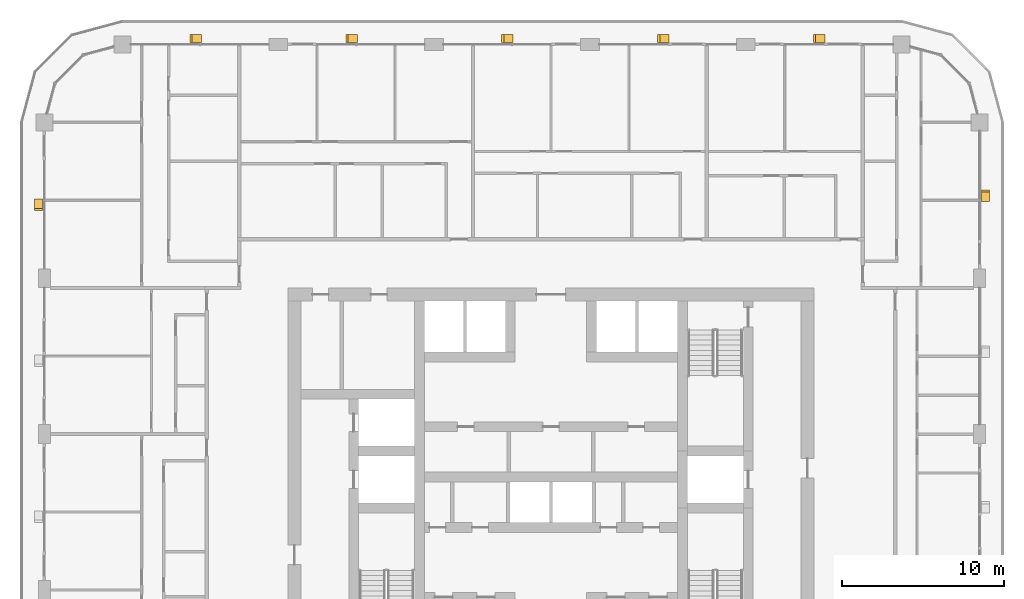
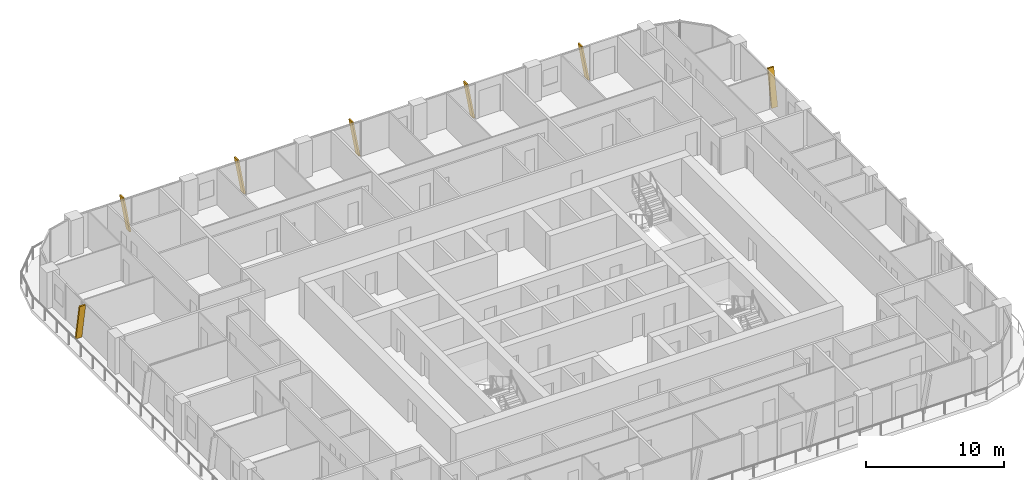
# One storey, part 22 of 22: 7 shading devices.
"""IFC4 building model written with IfcOpenShell, lengths in metres."""

import ifcopenshell
import ifcopenshell.guid

model = None  # the IFC model being written
_history = None  # IfcOwnerHistory: only IFC2X3 demands one
_inside = {}  # id of a spatial element -> (the spatial element, [elements in it])
_under = {}  # id of a project, library or spatial element -> (it, [spatial elements below it])
_declared = {}  # id of a project -> (the project, [libraries it declares])
_typed = {}  # id of a type object -> (the type object, [elements of that type])
_made_of = {}  # id of a material, layer set ... -> (it, [elements and type objects made of it])


def new_model(schema):
    """Start an empty IFC model of exactly this schema.

    Asked for "IFC4X3", IfcOpenShell would pick the latest addendum, in which some entities
    have other attributes; the version numbers below select the first issue.
    IFC2X3 requires an IfcOwnerHistory on every rooted entity: one is made here for all.
    """
    global model, _history
    if schema == "IFC4X3":
        model = ifcopenshell.file(schema_version=(4, 3, 0, 0))
    else:
        model = ifcopenshell.file(schema=schema)
    _inside.clear()
    _under.clear()
    _declared.clear()
    _typed.clear()
    _made_of.clear()
    _history = None
    if model.schema == "IFC2X3":
        org = make("IfcOrganization", Name="unknown")
        user = make(
            "IfcPersonAndOrganization",
            ThePerson=make("IfcPerson", FamilyName="unknown"),
            TheOrganization=org,
        )
        app = make(
            "IfcApplication",
            ApplicationDeveloper=org,
            Version="unknown",
            ApplicationFullName="unknown",
            ApplicationIdentifier="unknown",
        )
        _history = make(
            "IfcOwnerHistory",
            OwningUser=user,
            OwningApplication=app,
            ChangeAction="ADDED",
            CreationDate=0,
        )
    return model


def make(cls, **values):
    """One entity of the class cls with the attributes given. An attribute that is None is left unset."""
    return model.create_entity(
        cls, **{name: value for name, value in values.items() if value is not None}
    )


def rooted(cls, **values):
    """An entity with a GlobalId (a new one), such as an element, a storey or a relation."""
    return make(cls, GlobalId=ifcopenshell.guid.new(), OwnerHistory=_history, **values)


def si_unit(unit_type, name, prefix=None):
    """IfcSIUnit, for example si_unit("LENGTHUNIT", "METRE", prefix="MILLI")."""
    return make("IfcSIUnit", UnitType=unit_type, Prefix=prefix, Name=name)


def assignment(units):
    """IfcUnitAssignment: the units of a project."""
    return None if units is None else make("IfcUnitAssignment", Units=units)


def point(xyz):
    """IfcCartesianPoint."""
    return None if xyz is None else make("IfcCartesianPoint", Coordinates=xyz)


def direction(xyz):
    """IfcDirection."""
    return None if xyz is None else make("IfcDirection", DirectionRatios=xyz)


def frame(location, z_axis=None, x_axis=None):
    """IfcAxis2Placement3D, a coordinate frame: its origin and axes. An axis left out is left unset."""
    return make(
        "IfcAxis2Placement3D",
        Location=point(location),
        Axis=direction(z_axis),
        RefDirection=direction(x_axis),
    )


def origin():
    """The frame at (0, 0, 0) with its axes left unset."""
    return frame((0.0, 0.0, 0.0))


def place(relative_to, where):
    """IfcLocalPlacement: puts the frame where relative to a parent placement (None: the world)."""
    return make(
        "IfcLocalPlacement", PlacementRelTo=relative_to, RelativePlacement=where
    )


def context(
    kind, dimensions, precision=None, world=None, true_north=None, identifier=None
):
    """IfcGeometricRepresentationContext, for example the 3D "Model" context."""
    return make(
        "IfcGeometricRepresentationContext",
        ContextIdentifier=identifier,
        ContextType=kind,
        CoordinateSpaceDimension=dimensions,
        Precision=precision,
        WorldCoordinateSystem=world,
        TrueNorth=true_north,
    )


def subcontext(parent, identifier, kind, view, scale=None):
    """IfcGeometricRepresentationSubContext, for example "Body" below "Model"."""
    return make(
        "IfcGeometricRepresentationSubContext",
        ContextIdentifier=identifier,
        ContextType=kind,
        ParentContext=parent,
        TargetScale=scale,
        TargetView=view,
    )


def project(units=None, contexts=None):
    """IfcProject with its units and contexts."""
    return rooted(
        "IfcProject",
        Name="project",
        RepresentationContexts=contexts,
        UnitsInContext=assignment(units),
    )


def spatial(cls, under=None, at=None, **own):
    """A site, building, storey or space (cls), placed at a placement, below another one or the project."""
    s = rooted(cls, ObjectPlacement=at, **own)
    if under is not None:
        _under.setdefault(under.id(), (under, []))[1].append(s)
    return s


def polyline(points):
    """IfcPolyline through the points."""
    return make("IfcPolyline", Points=[point(p) for p in points])


def outline(outer, holes=None, kind="AREA"):
    """IfcArbitraryClosedProfileDef: a profile drawn as a closed curve; with holes, ...WithVoids."""
    if holes is None:
        return make("IfcArbitraryClosedProfileDef", ProfileType=kind, OuterCurve=outer)
    return make(
        "IfcArbitraryProfileDefWithVoids",
        ProfileType=kind,
        OuterCurve=outer,
        InnerCurves=holes,
    )


def extrude(swept, where, along, depth):
    """IfcExtrudedAreaSolid: the profile swept, set in the frame where, extruded along a direction by depth."""
    return make(
        "IfcExtrudedAreaSolid",
        SweptArea=swept,
        Position=where,
        ExtrudedDirection=direction(along),
        Depth=depth,
    )


def shape(context_of_items, identifier, shape_type, items):
    """IfcShapeRepresentation: the items that make up one representation, for example the "Body"."""
    return make(
        "IfcShapeRepresentation",
        ContextOfItems=context_of_items,
        RepresentationIdentifier=identifier,
        RepresentationType=shape_type,
        Items=items,
    )


def material(Name=None, Category=None):
    """IfcMaterial."""
    return make("IfcMaterial", Name=Name, Category=Category)


def made_of(thing, what):
    """Note that an element or type object is made of a material, layer set ...; save() writes the relation."""
    if what is not None:
        _made_of.setdefault(what.id(), (what, []))[1].append(thing)
    return thing


def type_object(cls, material=None, **own):
    """A type object (cls), such as IfcWallType, which elements share."""
    return made_of(rooted(cls, **own), material)


def element(
    cls,
    number,
    at=None,
    inside=None,
    cuts=None,
    type_object=None,
    material=None,
    context=None,
    identifier="Body",
    shape_type=None,
    held_by="IfcProductDefinitionShape",
    body=None,
    shapes=None,
    **own,
):
    """One element of the class cls, such as IfcWall. Its Tag is "e" and its number.

    at: its placement. inside: the storey or other place that contains it. cuts: it is an
    opening in that element (IfcRelVoidsElement). A single representation is given by context,
    identifier, shape_type and body (its items); several are given by shapes. held_by: the class
    of the entity that holds the representations. save() writes the other relations.
    """
    e = rooted(cls, Tag="e%d" % number, ObjectPlacement=at, **own)
    if body is not None:
        shapes = [shape(context, identifier, shape_type, body)]
    if shapes is not None:
        e.Representation = make(held_by, Representations=shapes)
    if inside is not None:
        _inside.setdefault(inside.id(), (inside, []))[1].append(e)
    if cuts is not None:
        rooted(
            "IfcRelVoidsElement", RelatingBuildingElement=cuts, RelatedOpeningElement=e
        )
    if type_object is not None:
        _typed.setdefault(type_object.id(), (type_object, []))[1].append(e)
    return made_of(e, material)


def aggregate(whole, parts):
    """IfcRelAggregates: a whole, such as a stair, and the parts it consists of."""
    return rooted("IfcRelAggregates", RelatingObject=whole, RelatedObjects=parts)


def save(model, path):
    """Write the relations noted so far, then the file.

    IfcRelAggregates (storeys below a building ...), IfcRelContainedInSpatialStructure (elements
    in a storey), IfcRelDefinesByType, IfcRelAssociatesMaterial and IfcRelDeclares: one each for
    every whole, place, type object, material and project.
    """
    for whole, parts in _under.values():
        aggregate(whole, parts)
    for where, things in _inside.values():
        rooted(
            "IfcRelContainedInSpatialStructure",
            RelatedElements=things,
            RelatingStructure=where,
        )
    for kind, things in _typed.values():
        rooted("IfcRelDefinesByType", RelatedObjects=things, RelatingType=kind)
    for what, things in _made_of.values():
        rooted("IfcRelAssociatesMaterial", RelatedObjects=things, RelatingMaterial=what)
    for by, libraries in _declared.values():
        rooted("IfcRelDeclares", RelatingContext=by, RelatedDefinitions=libraries)
    model.write(path)


model = new_model("IFC4")

# Units and contexts
model_context = context("Model", 3, precision=1e-05, world=origin(), true_north=direction((0.0, 1.0)))
body_context = subcontext(model_context, "Body", "Model", "MODEL_VIEW")
ifc_project = project(units=[si_unit("LENGTHUNIT", "METRE"), si_unit("AREAUNIT", "SQUARE_METRE"), si_unit("VOLUMEUNIT", "CUBIC_METRE"), si_unit("PLANEANGLEUNIT", "RADIAN"), si_unit("MASSUNIT", "GRAM", prefix="KILO")], contexts=[model_context])

# Site, building, storey
site_placement = place(None, origin())
site = spatial("IfcSite", under=ifc_project, at=site_placement, CompositionType="ELEMENT")
building_placement = place(site_placement, origin())
building = spatial("IfcBuilding", under=site, at=building_placement, Name="Madar Terraces", CompositionType="ELEMENT")
storey_placement = place(building_placement, frame((0.0, 0.0, 122.60009765625)))
storey = spatial("IfcBuildingStorey", under=building, at=storey_placement, Name="L31", CompositionType="ELEMENT", Elevation=122.60009765625)

# Shading devices
ifc_material = material(Name="Aluminium, black anodised", Category="aluminium")
shading_device_type = type_object("IfcShadingDeviceType", Name="Facade fin blade 140 x 500", PredefinedType="USERDEFINED", material=ifc_material)
for number, where, z_axis, x_axis, name in (
    (1, (57.949951171875, 43.1298828125, 0.0), (0.0, 0.0, 1.0), (0.0, 1.0, 0.0), "FIN L31 E4"),
    (2, (48.070068359375, 53.14990234375, 0.0), (0.0, 0.0, 1.0), (-1.0, 0.0, 0.0), "FIN L31 N1"),
):
    element("IfcShadingDevice", number, at=place(storey_placement, frame(where, z_axis=z_axis, x_axis=x_axis)), inside=storey, type_object=shading_device_type, Name=name, ObjectType="FIN", PredefinedType="USERDEFINED", context=body_context, shape_type="SweptSolid", body=[
        extrude(outline(polyline([(0.0, 0.0), (0.14013671875, 0.0), (0.704345703125, 3.199951171875), (0.564208984375, 3.199951171875), (0.0, 0.0)])), frame((0.0, 0.25, 0.0), z_axis=(0.0, -1.0, 0.0), x_axis=(1.0, 0.0, 0.0)), (0.0, 0.0, 1.0), 0.5),
    ])
shading_device_1_placement = place(storey_placement, frame((38.469970703125, 53.14990234375, 0.0), z_axis=(0.0, 0.0, 1.0), x_axis=(-1.0, 0.0, 0.0)))
element("IfcShadingDevice", 3, at=shading_device_1_placement, inside=storey, type_object=shading_device_type, Name="FIN L31 N2", ObjectType="FIN", PredefinedType="USERDEFINED", context=body_context, shape_type="SweptSolid", body=[
    extrude(outline(polyline([(0.0, 0.0), (0.139892578125, 0.0), (0.704345703125, 3.199951171875), (0.564208984375, 3.199951171875), (0.0, 0.0)])), frame((0.0, 0.25, 0.0), z_axis=(0.0, -1.0, 0.0), x_axis=(1.0, 0.0, 0.0)), (0.0, 0.0, 1.0), 0.5),
])
for number, where, z_axis, x_axis, name in (
    (4, (28.8701171875, 53.14990234375, 0.0), (0.0, 0.0, 1.0), (-1.0, 0.0, 0.0), "FIN L31 N3"),
    (5, (19.27001953125, 53.14990234375, 0.0), (0.0, 0.0, 1.0), (-1.0, 0.0, 0.0), "FIN L31 N4"),
):
    element("IfcShadingDevice", number, at=place(storey_placement, frame(where, z_axis=z_axis, x_axis=x_axis)), inside=storey, type_object=shading_device_type, Name=name, ObjectType="FIN", PredefinedType="USERDEFINED", context=body_context, shape_type="SweptSolid", body=[
        extrude(outline(polyline([(0.0, 0.0), (0.14013671875, 0.0), (0.704345703125, 3.199951171875), (0.564208984375, 3.199951171875), (0.0, 0.0)])), frame((0.0, 0.25, 0.0), z_axis=(0.0, -1.0, 0.0), x_axis=(1.0, 0.0, 0.0)), (0.0, 0.0, 1.0), 0.5),
    ])
shading_device_2_placement = place(storey_placement, frame((9.669921875, 53.14990234375, 0.0), z_axis=(0.0, 0.0, 1.0), x_axis=(-1.0, 0.0, 0.0)))
element("IfcShadingDevice", 6, at=shading_device_2_placement, inside=storey, type_object=shading_device_type, Name="FIN L31 N5", ObjectType="FIN", PredefinedType="USERDEFINED", context=body_context, shape_type="SweptSolid", body=[
    extrude(outline(polyline([(0.0, 0.0), (0.139892578125, 0.0), (0.704345703125, 3.199951171875), (0.564208984375, 3.199951171875), (0.0, 0.0)])), frame((0.0, 0.25, 0.0), z_axis=(0.0, -1.0, 0.0), x_axis=(1.0, 0.0, 0.0)), (0.0, 0.0, 1.0), 0.5),
])
shading_device_3_placement = place(storey_placement, frame((-0.35009765625, 43.27001953125, 0.0), z_axis=(0.0, 0.0, 1.0), x_axis=(0.0, -1.0, 0.0)))
element("IfcShadingDevice", 7, at=shading_device_3_placement, inside=storey, type_object=shading_device_type, Name="FIN L31 W1", ObjectType="FIN", PredefinedType="USERDEFINED", context=body_context, shape_type="SweptSolid", body=[
    extrude(outline(polyline([(0.0, 0.0), (0.14013671875, 0.0), (0.704345703125, 3.199951171875), (0.564208984375, 3.199951171875), (0.0, 0.0)])), frame((0.0, 0.25, 0.0), z_axis=(0.0, -1.0, 0.0), x_axis=(1.0, 0.0, 0.0)), (0.0, 0.0, 1.0), 0.5),
])

save(model, "model.ifc")
